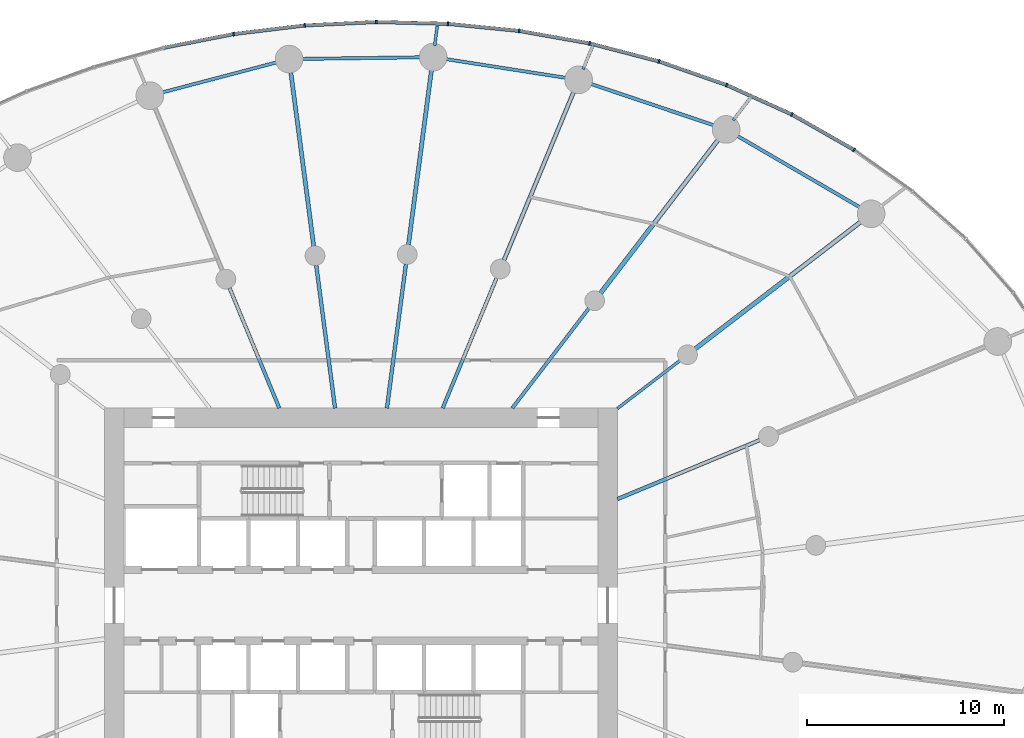
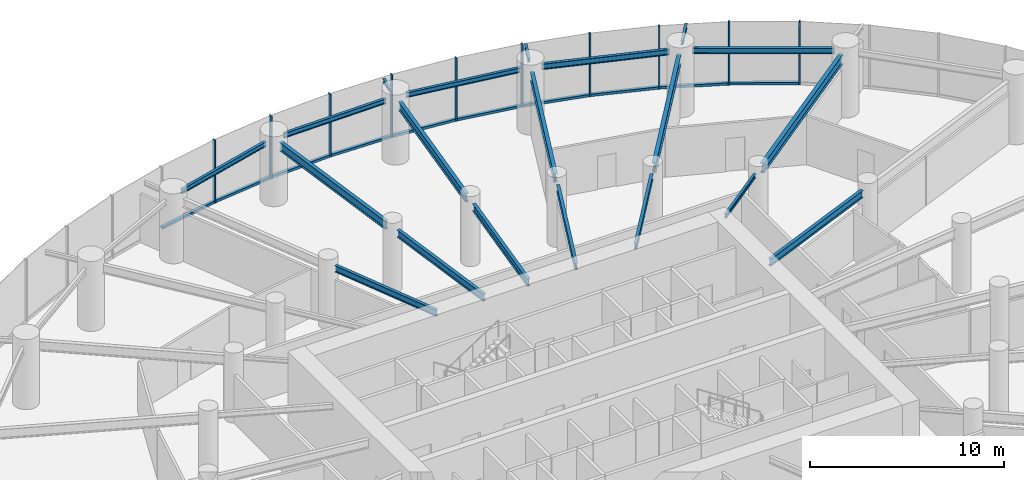
# One storey, part 7 of 19: 20 beams, 20 members, 2 elements without a shape of their own.
"""IFC4 building model written with IfcOpenShell, lengths in metres."""

from ifc_helpers import new_model, si_unit, direction, frame, origin, origin_2d, place, context, subcontext, project, spatial, rectangle, i_section, extrude, source, transform, mapped, material, layer, layer_set, material_profile, profile_set, type_object, element, aggregate, save


model = new_model("IFC4")

# Units and contexts
model_context = context("Model", 3, precision=1e-05, world=origin(), true_north=direction((0.0, 1.0)))
body_context = subcontext(model_context, "Body", "Model", "MODEL_VIEW")
ifc_project = project(units=[si_unit("LENGTHUNIT", "METRE"), si_unit("AREAUNIT", "SQUARE_METRE"), si_unit("VOLUMEUNIT", "CUBIC_METRE"), si_unit("PLANEANGLEUNIT", "RADIAN"), si_unit("MASSUNIT", "GRAM", prefix="KILO")], contexts=[model_context])

# Site, building, storey
site_placement = place(None, origin())
site = spatial("IfcSite", under=ifc_project, at=site_placement, CompositionType="ELEMENT")
building_placement = place(site_placement, origin())
building = spatial("IfcBuilding", under=site, at=building_placement, Name="Spindrift Exchange Tower", CompositionType="ELEMENT")
storey_placement = place(building_placement, frame((0.0, 0.0, 31.39990234375)))
storey = spatial("IfcBuildingStorey", under=building, at=storey_placement, Name="L07", CompositionType="ELEMENT", Elevation=31.39990234375)

# Beams
ifc_material_1 = material(Name="Steel Grade 300", Category="steel")
ifc_material_profile_1 = material_profile(ifc_material_1, i_section(OverallWidth=0.18994140625, OverallDepth=0.45703125, WebThickness=0.009033203125, FlangeThickness=0.014404296875, FilletRadius=0.013916015625, at=origin_2d()), Name="460UB74.6")
ifc_profile_set_1 = profile_set([ifc_material_profile_1], Name="Steel Grade 300")
beam_type_1 = type_object("IfcBeamType", Name="Floor Beam 460UB74.6 Steel Grade 300", PredefinedType="BEAM", material=ifc_profile_set_1)
shared_shape_1 = source(origin(), body_context, "Body", "SweptSolid", [
    extrude(i_section(OverallWidth=0.18994140625, OverallDepth=0.45703125, WebThickness=0.009033203125, FlangeThickness=0.014404296875, FilletRadius=0.013916015625, at=origin_2d()), origin(), (0.0, 0.0, 1.0), 7.808837890625),
])
beam_1_placement = place(storey_placement, frame((64.9814453125, 53.377197265625, 3.7216796875), z_axis=(0.92387965154, 0.382683145003, 0.0), x_axis=(-0.382683145003, 0.92387965154, 0.0)))
element("IfcBeam", 1, at=beam_1_placement, inside=storey, type_object=beam_type_1, Name="L07 radial beam R02A", PredefinedType="BEAM", context=body_context, shape_type="MappedRepresentation", body=[
    mapped(shared_shape_1, transform((0.0, 0.0, 0.0), scale=1.0)),
])
ifc_material_profile_2 = material_profile(ifc_material_1, i_section(OverallWidth=0.14599609375, OverallDepth=0.251953125, WebThickness=0.006103515625, FlangeThickness=0.008544921875, FilletRadius=0.011962890625, at=origin_2d()), Name="250UB31.4")
ifc_profile_set_2 = profile_set([ifc_material_profile_2], Name="Steel Grade 300")
beam_type_2 = type_object("IfcBeamType", Name="Floor Beam 250UB31.4 Steel Grade 300", PredefinedType="BEAM", material=ifc_profile_set_2)
shared_shape_2 = source(origin(), body_context, "Body", "SweptSolid", [
    extrude(i_section(OverallWidth=0.14599609375, OverallDepth=0.251953125, WebThickness=0.006103515625, FlangeThickness=0.008544921875, FilletRadius=0.011962890625, at=origin_2d()), origin(), (0.0, 0.0, 1.0), 3.99560546875),
])
beam_2_placement = place(storey_placement, frame((64.984130859375, 57.963134765625, 3.82421875), z_axis=(0.793352561574, 0.608762443851, 0.0), x_axis=(-0.608762443851, 0.793352561574, 0.0)))
element("IfcBeam", 2, at=beam_2_placement, inside=storey, type_object=beam_type_2, Name="L07 radial beam R03A", PredefinedType="BEAM", context=body_context, shape_type="MappedRepresentation", body=[
    mapped(shared_shape_2, transform((0.0, 0.0, 0.0), scale=1.0)),
])
ifc_material_profile_3 = material_profile(ifc_material_1, i_section(OverallWidth=0.22802734375, OverallDepth=0.60693359375, WebThickness=0.01123046875, FlangeThickness=0.017333984375, FilletRadius=0.013916015625, at=origin_2d()), Name="610UB113")
ifc_profile_set_3 = profile_set([ifc_material_profile_3], Name="Steel Grade 300")
beam_type_3 = type_object("IfcBeamType", Name="Floor Beam 610UB113 Steel Grade 300", PredefinedType="BEAM", material=ifc_profile_set_3)
shared_shape_3 = source(origin(), body_context, "Body", "SweptSolid", [
    extrude(i_section(OverallWidth=0.22802734375, OverallDepth=0.60693359375, WebThickness=0.01123046875, FlangeThickness=0.017333984375, FilletRadius=0.013916015625, at=origin_2d()), origin(), (0.0, 0.0, 1.0), 10.66357421875),
])
beam_3_placement = place(storey_placement, frame((68.91552734375, 60.979736328125, 3.646484375), z_axis=(0.793357926757, 0.608755451764, 0.0), x_axis=(-0.608755451764, 0.793357926757, 0.0)))
element("IfcBeam", 3, at=beam_3_placement, inside=storey, type_object=beam_type_3, Name="L07 radial beam R03B", PredefinedType="BEAM", context=body_context, shape_type="MappedRepresentation", body=[
    mapped(shared_shape_3, transform((0.0, 0.0, 0.0), scale=1.0)),
])
ifc_material_profile_4 = material_profile(ifc_material_1, i_section(OverallWidth=0.172119140625, OverallDepth=0.35888671875, WebThickness=0.008056640625, FlangeThickness=0.012939453125, FilletRadius=0.013916015625, at=origin_2d()), Name="360UB56.7")
ifc_profile_set_4 = profile_set([ifc_material_profile_4], Name="Steel Grade 300")
beam_type_4 = type_object("IfcBeamType", Name="Floor Beam 360UB56.7 Steel Grade 300", PredefinedType="BEAM", material=ifc_profile_set_4)
shared_shape_4 = source(origin(), body_context, "Body", "SweptSolid", [
    extrude(i_section(OverallWidth=0.172119140625, OverallDepth=0.35888671875, WebThickness=0.008056640625, FlangeThickness=0.012939453125, FilletRadius=0.013916015625, at=origin_2d()), origin(), (0.0, 0.0, 1.0), 6.37646484375),
])
beam_4_placement = place(storey_placement, frame((59.6611328125, 57.984130859375, 3.7705078125), z_axis=(0.608766669952, 0.793349318747, 0.0), x_axis=(-0.793349318747, 0.608766669952, 0.0)))
element("IfcBeam", 4, at=beam_4_placement, inside=storey, type_object=beam_type_4, Name="L07 radial beam R04A", PredefinedType="BEAM", context=body_context, shape_type="MappedRepresentation", body=[
    mapped(shared_shape_4, transform((0.0, 0.0, 0.0), scale=1.0)),
])
shared_shape_5 = source(origin(), body_context, "Body", "SweptSolid", [
    extrude(i_section(OverallWidth=0.22802734375, OverallDepth=0.60693359375, WebThickness=0.01123046875, FlangeThickness=0.017333984375, FilletRadius=0.013916015625, at=origin_2d()), origin(), (0.0, 0.0, 1.0), 9.87548828125),
])
beam_5_placement = place(storey_placement, frame((64.127197265625, 63.8046875, 3.646484375), z_axis=(0.608772470836, 0.793344867477, 0.0), x_axis=(-0.793344867477, 0.608772470836, 0.0)))
element("IfcBeam", 5, at=beam_5_placement, inside=storey, type_object=beam_type_3, Name="L07 radial beam R04B", PredefinedType="BEAM", context=body_context, shape_type="MappedRepresentation", body=[
    mapped(shared_shape_5, transform((0.0, 0.0, 0.0), scale=1.0)),
])
ifc_material_profile_5 = material_profile(ifc_material_1, i_section(OverallWidth=0.177978515625, OverallDepth=0.406005859375, WebThickness=0.0078125, FlangeThickness=0.0126953125, FilletRadius=0.013916015625, at=origin_2d()), Name="410UB59.7")
ifc_profile_set_5 = profile_set([ifc_material_profile_5], Name="Steel Grade 300")
beam_type_5 = type_object("IfcBeamType", Name="Floor Beam 410UB59.7 Steel Grade 300", PredefinedType="BEAM", material=ifc_profile_set_5)
shared_shape_6 = source(origin(), body_context, "Body", "SweptSolid", [
    extrude(i_section(OverallWidth=0.177978515625, OverallDepth=0.406005859375, WebThickness=0.0078125, FlangeThickness=0.0126953125, FilletRadius=0.013916015625, at=origin_2d()), origin(), (0.0, 0.0, 1.0), 7.150634765625),
])
beam_6_placement = place(storey_placement, frame((56.134521484375, 57.9814453125, 3.7470703125), z_axis=(0.382665393358, 0.923887004306, 0.0), x_axis=(-0.923887004306, 0.382665393358, 0.0)))
element("IfcBeam", 6, at=beam_6_placement, inside=storey, type_object=beam_type_5, Name="L07 radial beam R05A", PredefinedType="BEAM", context=body_context, shape_type="MappedRepresentation", body=[
    mapped(shared_shape_6, transform((0.0, 0.0, 0.0), scale=1.0)),
])
ifc_material_profile_6 = material_profile(ifc_material_1, i_section(OverallWidth=0.208984375, OverallDepth=0.532958984375, WebThickness=0.01025390625, FlangeThickness=0.015625, FilletRadius=0.013916015625, at=origin_2d()), Name="530UB92.4")
ifc_profile_set_6 = profile_set([ifc_material_profile_6], Name="Steel Grade 300")
beam_type_6 = type_object("IfcBeamType", Name="Floor Beam 530UB92.4 Steel Grade 300", PredefinedType="BEAM", material=ifc_profile_set_6)
shared_shape_7 = source(origin(), body_context, "Body", "SweptSolid", [
    extrude(i_section(OverallWidth=0.208984375, OverallDepth=0.532958984375, WebThickness=0.01025390625, FlangeThickness=0.015625, FilletRadius=0.013916015625, at=origin_2d()), origin(), (0.0, 0.0, 1.0), 9.309326171875),
])
beam_7_placement = place(storey_placement, frame((59.23828125, 65.474853515625, 3.68359375), z_axis=(0.382685326691, 0.923878747853, 0.0), x_axis=(-0.923878747853, 0.382685326691, 0.0)))
element("IfcBeam", 7, at=beam_7_placement, inside=storey, type_object=beam_type_6, Name="L07 radial beam R05B", PredefinedType="BEAM", context=body_context, shape_type="MappedRepresentation", body=[
    mapped(shared_shape_7, transform((0.0, 0.0, 0.0), scale=1.0)),
])
shared_shape_8 = source(origin(), body_context, "Body", "SweptSolid", [
    extrude(i_section(OverallWidth=0.18994140625, OverallDepth=0.45703125, WebThickness=0.009033203125, FlangeThickness=0.014404296875, FilletRadius=0.013916015625, at=origin_2d()), origin(), (0.0, 0.0, 1.0), 7.374267578125),
])
beam_8_placement = place(storey_placement, frame((53.31396484375, 57.980224609375, 3.7216796875), z_axis=(0.130539295622, 0.99144313619, 0.0), x_axis=(-0.99144313619, 0.130539295622, 0.0)))
element("IfcBeam", 8, at=beam_8_placement, inside=storey, type_object=beam_type_1, Name="L07 radial beam R06A", PredefinedType="BEAM", context=body_context, shape_type="MappedRepresentation", body=[
    mapped(shared_shape_8, transform((0.0, 0.0, 0.0), scale=1.0)),
])
shared_shape_9 = source(origin(), body_context, "Body", "SweptSolid", [
    extrude(i_section(OverallWidth=0.208984375, OverallDepth=0.532958984375, WebThickness=0.01025390625, FlangeThickness=0.015625, FilletRadius=0.013916015625, at=origin_2d()), origin(), (0.0, 0.0, 1.0), 9.020263671875),
])
beam_9_placement = place(storey_placement, frame((54.40185546875, 66.2431640625, 3.68359375), z_axis=(0.13051122338, 0.991446831944, 0.0), x_axis=(-0.991446831944, 0.13051122338, 0.0)))
element("IfcBeam", 9, at=beam_9_placement, inside=storey, type_object=beam_type_6, Name="L07 radial beam R06B", PredefinedType="BEAM", context=body_context, shape_type="MappedRepresentation", body=[
    mapped(shared_shape_9, transform((0.0, 0.0, 0.0), scale=1.0)),
])
shared_shape_10 = source(origin(), body_context, "Body", "SweptSolid", [
    extrude(i_section(OverallWidth=0.18994140625, OverallDepth=0.45703125, WebThickness=0.009033203125, FlangeThickness=0.014404296875, FilletRadius=0.013916015625, at=origin_2d()), origin(), (0.0, 0.0, 1.0), 7.3095703125),
])
beam_10_placement = place(storey_placement, frame((50.68603515625, 57.980224609375, 3.7216796875), z_axis=(-0.130527087244, 0.991444743541, 0.0), x_axis=(-0.991444743541, -0.130527087244, 0.0)))
element("IfcBeam", 10, at=beam_10_placement, inside=storey, type_object=beam_type_1, Name="L07 radial beam R07A", PredefinedType="BEAM", context=body_context, shape_type="MappedRepresentation", body=[
    mapped(shared_shape_10, transform((0.0, 0.0, 0.0), scale=1.0)),
])
shared_shape_11 = source(origin(), body_context, "Body", "SweptSolid", [
    extrude(i_section(OverallWidth=0.208984375, OverallDepth=0.532958984375, WebThickness=0.01025390625, FlangeThickness=0.015625, FilletRadius=0.013916015625, at=origin_2d()), origin(), (0.0, 0.0, 1.0), 8.98388671875),
])
beam_11_placement = place(storey_placement, frame((49.606689453125, 66.17919921875, 3.68359375), z_axis=(-0.130524106785, 0.991445135924, 0.0), x_axis=(-0.991445135924, -0.130524106785, 0.0)))
element("IfcBeam", 11, at=beam_11_placement, inside=storey, type_object=beam_type_6, Name="L07 radial beam R07B", PredefinedType="BEAM", context=body_context, shape_type="MappedRepresentation", body=[
    mapped(shared_shape_11, transform((0.0, 0.0, 0.0), scale=1.0)),
])
shared_shape_12 = source(origin(), body_context, "Body", "SweptSolid", [
    extrude(i_section(OverallWidth=0.177978515625, OverallDepth=0.406005859375, WebThickness=0.0078125, FlangeThickness=0.0126953125, FilletRadius=0.013916015625, at=origin_2d()), origin(), (0.0, 0.0, 1.0), 6.594482421875),
])
beam_12_placement = place(storey_placement, frame((47.865478515625, 57.9814453125, 3.7470703125), z_axis=(-0.382692929746, 0.92387559851, 0.0), x_axis=(-0.92387559851, -0.382692929746, 0.0)))
element("IfcBeam", 12, at=beam_12_placement, inside=storey, type_object=beam_type_5, Name="L07 radial beam R08A", PredefinedType="BEAM", context=body_context, shape_type="MappedRepresentation", body=[
    mapped(shared_shape_12, transform((0.0, 0.0, 0.0), scale=1.0)),
])
ifc_material_profile_7 = material_profile(ifc_material_1, i_section(OverallWidth=0.172119140625, OverallDepth=0.35888671875, WebThickness=0.008056640625, FlangeThickness=0.012939453125, FilletRadius=0.013916015625, at=origin_2d()), Name="360UB56.7")
ifc_profile_set_7 = profile_set([ifc_material_profile_7], Name="Steel Grade 300")
beam_type_7 = type_object("IfcBeamType", Name="Edge Beam 360UB56.7 Steel Grade 300", PredefinedType="SPANDREL", material=ifc_profile_set_7)
shared_shape_13 = source(origin(), body_context, "Body", "SweptSolid", [
    extrude(i_section(OverallWidth=0.172119140625, OverallDepth=0.35888671875, WebThickness=0.008056640625, FlangeThickness=0.012939453125, FilletRadius=0.013916015625, at=origin_2d()), origin(), (0.0, 0.0, 1.0), 7.33740234375),
])
beam_13_placement = place(storey_placement, frame((77.33447265625, 68.1162109375, 3.7705078125), z_axis=(-0.864211826308, 0.503128134047, 0.0), x_axis=(-0.503128134047, -0.864211826308, 0.0)))
element("IfcBeam", 13, at=beam_13_placement, inside=storey, type_object=beam_type_7, Name="L07 edge beam E03", PredefinedType="SPANDREL", context=body_context, shape_type="MappedRepresentation", body=[
    mapped(shared_shape_13, transform((0.0, 0.0, 0.0), scale=1.0)),
])
shared_shape_14 = source(origin(), body_context, "Body", "SweptSolid", [
    extrude(i_section(OverallWidth=0.172119140625, OverallDepth=0.35888671875, WebThickness=0.008056640625, FlangeThickness=0.012939453125, FilletRadius=0.013916015625, at=origin_2d()), origin(), (0.0, 0.0, 1.0), 6.72021484375),
])
beam_14_placement = place(storey_placement, frame((69.9423828125, 72.28466796875, 3.7705078125), z_axis=(-0.947851749681, 0.318711563372, 0.0), x_axis=(-0.318711563372, -0.947851749681, 0.0)))
element("IfcBeam", 14, at=beam_14_placement, inside=storey, type_object=beam_type_7, Name="L07 edge beam E04", PredefinedType="SPANDREL", context=body_context, shape_type="MappedRepresentation", body=[
    mapped(shared_shape_14, transform((0.0, 0.0, 0.0), scale=1.0)),
])
ifc_material_profile_8 = material_profile(ifc_material_1, i_section(OverallWidth=0.1650390625, OverallDepth=0.303955078125, WebThickness=0.006103515625, FlangeThickness=0.01025390625, FilletRadius=0.011474609375, at=origin_2d()), Name="310UB40.4")
ifc_profile_set_8 = profile_set([ifc_material_profile_8], Name="Steel Grade 300")
beam_type_8 = type_object("IfcBeamType", Name="Edge Beam 310UB40.4 Steel Grade 300", PredefinedType="SPANDREL", material=ifc_profile_set_8)
shared_shape_15 = source(origin(), body_context, "Body", "SweptSolid", [
    extrude(i_section(OverallWidth=0.1650390625, OverallDepth=0.303955078125, WebThickness=0.006103515625, FlangeThickness=0.01025390625, FilletRadius=0.011474609375, at=origin_2d()), origin(), (0.0, 0.0, 1.0), 6.297119140625),
])
beam_15_placement = place(storey_placement, frame((62.44970703125, 74.70068359375, 3.798095703125), z_axis=(-0.98802902915, 0.154268070436, 0.0), x_axis=(-0.154268070436, -0.98802902915, 0.0)))
element("IfcBeam", 15, at=beam_15_placement, inside=storey, type_object=beam_type_8, Name="L07 edge beam E05", PredefinedType="SPANDREL", context=body_context, shape_type="MappedRepresentation", body=[
    mapped(shared_shape_15, transform((0.0, 0.0, 0.0), scale=1.0)),
])
shared_shape_16 = source(origin(), body_context, "Body", "SweptSolid", [
    extrude(i_section(OverallWidth=0.1650390625, OverallDepth=0.303955078125, WebThickness=0.006103515625, FlangeThickness=0.01025390625, FilletRadius=0.011474609375, at=origin_2d()), origin(), (0.0, 0.0, 1.0), 6.13720703125),
])
beam_16_placement = place(storey_placement, frame((55.074951171875, 75.75341796875, 3.798095703125), z_axis=(-0.999905820907, -0.013724041543, 0.0), x_axis=(0.013724041543, -0.999905820907, 0.0)))
element("IfcBeam", 16, at=beam_16_placement, inside=storey, type_object=beam_type_8, Name="L07 edge beam E06", PredefinedType="SPANDREL", context=body_context, shape_type="MappedRepresentation", body=[
    mapped(shared_shape_16, transform((0.0, 0.0, 0.0), scale=1.0)),
])
shared_shape_17 = source(origin(), body_context, "Body", "SweptSolid", [
    extrude(i_section(OverallWidth=0.1650390625, OverallDepth=0.303955078125, WebThickness=0.006103515625, FlangeThickness=0.01025390625, FilletRadius=0.011474609375, at=origin_2d()), origin(), (0.0, 0.0, 1.0), 6.128173828125),
])
beam_17_placement = place(storey_placement, frame((47.79736328125, 75.513916015625, 3.798095703125), z_axis=(-0.967147261855, -0.254216785216, 0.0), x_axis=(0.254216785216, -0.967147261855, 0.0)))
element("IfcBeam", 17, at=beam_17_placement, inside=storey, type_object=beam_type_8, Name="L07 edge beam E07", PredefinedType="SPANDREL", context=body_context, shape_type="MappedRepresentation", body=[
    mapped(shared_shape_17, transform((0.0, 0.0, 0.0), scale=1.0)),
])
ifc_material_profile_9 = material_profile(ifc_material_1, i_section(OverallWidth=0.14599609375, OverallDepth=0.251953125, WebThickness=0.006103515625, FlangeThickness=0.008544921875, FilletRadius=0.011962890625, at=origin_2d()), Name="250UB31.4")
ifc_profile_set_9 = profile_set([ifc_material_profile_9], Name="Steel Grade 300")
beam_type_9 = type_object("IfcBeamType", Name="Cantilever Beam 250UB31.4 Steel Grade 300", PredefinedType="BEAM", material=ifc_profile_set_9)
shared_shape_18 = source(origin(), body_context, "Body", "SweptSolid", [
    extrude(i_section(OverallWidth=0.14599609375, OverallDepth=0.251953125, WebThickness=0.006103515625, FlangeThickness=0.008544921875, FilletRadius=0.011962890625, at=origin_2d()), origin(), (0.0, 0.0, 1.0), 1.61181640625),
])
beam_18_placement = place(storey_placement, frame((70.845458984375, 72.559814453125, 3.82421875), z_axis=(0.608736759969, 0.793372268902, 0.0), x_axis=(-0.793372268902, 0.608736759969, 0.0)))
element("IfcBeam", 18, at=beam_18_placement, inside=storey, type_object=beam_type_9, Name="L07 cantilever beam R04T", PredefinedType="BEAM", context=body_context, shape_type="MappedRepresentation", body=[
    mapped(shared_shape_18, transform((0.0, 0.0, 0.0), scale=1.0)),
])
shared_shape_19 = source(origin(), body_context, "Body", "SweptSolid", [
    extrude(i_section(OverallWidth=0.14599609375, OverallDepth=0.251953125, WebThickness=0.006103515625, FlangeThickness=0.008544921875, FilletRadius=0.011962890625, at=origin_2d()), origin(), (0.0, 0.0, 1.0), 1.326416015625),
])
beam_19_placement = place(storey_placement, frame((63.244873046875, 75.147216796875, 3.82421875), z_axis=(0.382628122364, 0.923902440724, 0.0), x_axis=(-0.923902440724, 0.382628122364, 0.0)))
element("IfcBeam", 19, at=beam_19_placement, inside=storey, type_object=beam_type_9, Name="L07 cantilever beam R05T", PredefinedType="BEAM", context=body_context, shape_type="MappedRepresentation", body=[
    mapped(shared_shape_19, transform((0.0, 0.0, 0.0), scale=1.0)),
])
shared_shape_20 = source(origin(), body_context, "Body", "SweptSolid", [
    extrude(i_section(OverallWidth=0.14599609375, OverallDepth=0.251953125, WebThickness=0.006103515625, FlangeThickness=0.008544921875, FilletRadius=0.011962890625, at=origin_2d()), origin(), (0.0, 0.0, 1.0), 1.005615234375),
])
beam_20_placement = place(storey_placement, frame((55.730712890625, 76.33642578125, 3.82421875), z_axis=(0.130366593235, 0.991465859911, 0.0), x_axis=(-0.991465859911, 0.130366593235, 0.0)))
element("IfcBeam", 20, at=beam_20_placement, inside=storey, type_object=beam_type_9, Name="L07 cantilever beam R06T", PredefinedType="BEAM", context=body_context, shape_type="MappedRepresentation", body=[
    mapped(shared_shape_20, transform((0.0, 0.0, 0.0), scale=1.0)),
])

# Curtain wall, members
ifc_material_2 = material(Name="Fritted laminated glass with bronze frame", Category="glass")
ifc_layer = layer(ifc_material_2, 0.199951171875)
ifc_layer_set = layer_set([ifc_layer], Name="ZONE 1 BRONZE FRITTED WALL")
curtain_wall_type = type_object("IfcCurtainWallType", Name="ZONE 1 BRONZE FRITTED WALL", PredefinedType="NOTDEFINED", material=ifc_layer_set)
curtain_wall_1_placement = place(storey_placement, origin())
curtain_wall_1 = element("IfcCurtainWall", 21, at=curtain_wall_1_placement, inside=storey, type_object=curtain_wall_type, Name="L07 Zone 1 Bronze Fritted Wall run 2", PredefinedType="NOTDEFINED")
ifc_material_3 = material(Name="Bronze anodised aluminium", Category="aluminium")
ifc_material_profile_10 = material_profile(ifc_material_3, rectangle(XDim=0.179931640625, YDim=0.14990234375, at=origin_2d()), Name="ZONE 1 BRONZE FRITTED WALL TRANSOM 180X150")
ifc_profile_set_10 = profile_set([ifc_material_profile_10], Name="Bronze anodised aluminium")
member_type_1 = type_object("IfcMemberType", Name="ZONE 1 BRONZE FRITTED WALL TRANSOM 180X150", PredefinedType="USERDEFINED", material=ifc_profile_set_10)
shared_shape_21 = source(origin(), body_context, "Body", "SweptSolid", [
    extrude(rectangle(XDim=0.179931640625, YDim=0.14990234375, at=origin_2d()), origin(), (0.0, 0.0, 1.0), 3.546875),
])
member_1_placement = place(storey_placement, frame((76.9384765625, 71.08544921875, 0.0751953125), z_axis=(-0.869295918305, 0.494292025445, 0.0), x_axis=(-0.494292025445, -0.869295918305, 0.0)))
member_1 = element("IfcMember", 22, at=member_1_placement, type_object=member_type_1, Name="L07 transom CW-1.8", ObjectType="TRANSOM", PredefinedType="USERDEFINED", context=body_context, shape_type="MappedRepresentation", body=[
    mapped(shared_shape_21, transform((0.0, 0.0, 0.0), scale=1.0)),
])
member_2_placement = place(storey_placement, frame((73.783935546875, 72.874755859375, 0.0751953125), z_axis=(-0.911606987466, 0.411062891056, 0.0), x_axis=(-0.411062891056, -0.911606987466, 0.0)))
member_2 = element("IfcMember", 23, at=member_2_placement, type_object=member_type_1, Name="L07 transom CW-1.9", ObjectType="TRANSOM", PredefinedType="USERDEFINED", context=body_context, shape_type="MappedRepresentation", body=[
    mapped(shared_shape_21, transform((0.0, 0.0, 0.0), scale=1.0)),
])
member_3_placement = place(storey_placement, frame((70.476318359375, 74.362548828125, 0.0751953125), z_axis=(-0.943963472957, 0.330049938226, 0.0), x_axis=(-0.330049938226, -0.943963472957, 0.0)))
member_3 = element("IfcMember", 24, at=member_3_placement, type_object=member_type_1, Name="L07 transom CW-1.10", ObjectType="TRANSOM", PredefinedType="USERDEFINED", context=body_context, shape_type="MappedRepresentation", body=[
    mapped(shared_shape_21, transform((0.0, 0.0, 0.0), scale=1.0)),
])
shared_shape_22 = source(origin(), body_context, "Body", "SweptSolid", [
    extrude(rectangle(XDim=0.179931640625, YDim=0.14990234375, at=origin_2d()), origin(), (0.0, 0.0, 1.0), 3.54736328125),
])
member_4_placement = place(storey_placement, frame((67.051513671875, 75.556396484375, 0.0751953125), z_axis=(-0.967933705581, 0.25120577541, 0.0), x_axis=(-0.25120577541, -0.967933705581, 0.0)))
member_4 = element("IfcMember", 25, at=member_4_placement, type_object=member_type_1, Name="L07 transom CW-1.11", ObjectType="TRANSOM", PredefinedType="USERDEFINED", context=body_context, shape_type="MappedRepresentation", body=[
    mapped(shared_shape_22, transform((0.0, 0.0, 0.0), scale=1.0)),
])

curtain_wall_2_placement = place(storey_placement, origin())
curtain_wall_2 = element("IfcCurtainWall", 26, at=curtain_wall_2_placement, inside=storey, type_object=curtain_wall_type, Name="L07 Zone 1 Bronze Fritted Wall run 3", PredefinedType="NOTDEFINED")
member_5_placement = place(storey_placement, frame((59.9677734375, 77.093994140625, 0.0751953125), z_axis=(-0.995076635173, 0.099108476598, 0.0), x_axis=(-0.099108476598, -0.995076635173, 0.0)))
member_5 = element("IfcMember", 27, at=member_5_placement, type_object=member_type_1, Name="L07 transom CW-1.13", ObjectType="TRANSOM", PredefinedType="USERDEFINED", context=body_context, shape_type="MappedRepresentation", body=[
    mapped(shared_shape_22, transform((0.0, 0.0, 0.0), scale=1.0)),
])
member_6_placement = place(storey_placement, frame((45.50830078125, 76.923095703125, 0.0751953125), z_axis=(-0.981203002701, -0.192978411978, 0.0), x_axis=(0.192978411978, -0.981203002701, 0.0)))
member_6 = element("IfcMember", 28, at=member_6_placement, type_object=member_type_1, Name="L07 transom CW-1.17", ObjectType="TRANSOM", PredefinedType="USERDEFINED", context=body_context, shape_type="MappedRepresentation", body=[
    mapped(shared_shape_22, transform((0.0, 0.0, 0.0), scale=1.0)),
])

# Member
shared_shape_23 = source(origin(), body_context, "Body", "SweptSolid", [
    extrude(rectangle(XDim=0.179931640625, YDim=0.14990234375, at=origin_2d()), origin(), (0.0, 0.0, 1.0), 3.547119140625),
])
member_7_placement = place(storey_placement, frame((63.539794921875, 76.464599609375, 0.0751953125), z_axis=(-0.984686403029, 0.174334986991, 0.0), x_axis=(-0.174334986991, -0.984686403029, 0.0)))
member_7 = element("IfcMember", 29, at=member_7_placement, type_object=member_type_1, Name="L07 transom CW-1.12", ObjectType="TRANSOM", PredefinedType="USERDEFINED", context=body_context, shape_type="MappedRepresentation", body=[
    mapped(shared_shape_23, transform((0.0, 0.0, 0.0), scale=1.0)),
])

shared_shape_24 = source(origin(), body_context, "Body", "SweptSolid", [
    extrude(rectangle(XDim=0.179931640625, YDim=0.14990234375, at=origin_2d()), origin(), (0.0, 0.0, 1.0), 3.547607421875),
])
member_8_placement = place(storey_placement, frame((56.358154296875, 77.45068359375, 0.0751953125), z_axis=(-0.999682726812, 0.025188205839, 0.0), x_axis=(-0.025188205839, -0.999682726812, 0.0)))
member_8 = element("IfcMember", 30, at=member_8_placement, type_object=member_type_1, Name="L07 transom CW-1.14", ObjectType="TRANSOM", PredefinedType="USERDEFINED", context=body_context, shape_type="MappedRepresentation", body=[
    mapped(shared_shape_24, transform((0.0, 0.0, 0.0), scale=1.0)),
])

member_9_placement = place(storey_placement, frame((52.73193359375, 77.539306640625, 0.0751953125), z_axis=(-0.998855490777, -0.047829996286, 0.0), x_axis=(0.047829996286, -0.998855490777, 0.0)))
member_9 = element("IfcMember", 31, at=member_9_placement, type_object=member_type_1, Name="L07 transom CW-1.15", ObjectType="TRANSOM", PredefinedType="USERDEFINED", context=body_context, shape_type="MappedRepresentation", body=[
    mapped(shared_shape_24, transform((0.0, 0.0, 0.0), scale=1.0)),
])

member_10_placement = place(storey_placement, frame((49.10888671875, 77.36279296875, 0.0751953125), z_axis=(-0.992721320697, -0.120434129027, 0.0), x_axis=(0.120434129027, -0.992721320697, 0.0)))
member_10 = element("IfcMember", 32, at=member_10_placement, type_object=member_type_1, Name="L07 transom CW-1.16", ObjectType="TRANSOM", PredefinedType="USERDEFINED", context=body_context, shape_type="MappedRepresentation", body=[
    mapped(shared_shape_24, transform((0.0, 0.0, 0.0), scale=1.0)),
])

ifc_material_profile_11 = material_profile(ifc_material_3, rectangle(XDim=0.080078125, YDim=0.199951171875, at=origin_2d()), Name="ZONE 1 BRONZE FRITTED WALL MULLION 80X200")
ifc_profile_set_11 = profile_set([ifc_material_profile_11], Name="Bronze anodised aluminium")
member_type_2 = type_object("IfcMemberType", Name="ZONE 1 BRONZE FRITTED WALL MULLION 80X200", PredefinedType="MULLION", material=ifc_profile_set_11)
shared_shape_25 = source(origin(), body_context, "Body", "SweptSolid", [
    extrude(rectangle(XDim=0.080078125, YDim=0.199951171875, at=origin_2d()), origin(), (0.0, 0.0, 1.0), 3.9501953125),
])
member_11_placement = place(storey_placement, frame((76.973388671875, 71.065673828125, 0.0), z_axis=(0.0, 0.0, 1.0), x_axis=(-0.843343794165, 0.537374399133, 0.0)))
member_11 = element("IfcMember", 33, at=member_11_placement, type_object=member_type_2, Name="L07 mullion CW-1.8", PredefinedType="MULLION", context=body_context, shape_type="MappedRepresentation", body=[
    mapped(shared_shape_25, transform((0.0, 0.0, 0.0), scale=1.0)),
])

member_12_placement = place(storey_placement, frame((73.820556640625, 72.8583984375, 0.0), z_axis=(0.0, 0.0, 1.0), x_axis=(-0.891425606833, 0.453167063545, 0.0)))
member_12 = element("IfcMember", 34, at=member_12_placement, type_object=member_type_2, Name="L07 mullion CW-1.9", PredefinedType="MULLION", context=body_context, shape_type="MappedRepresentation", body=[
    mapped(shared_shape_25, transform((0.0, 0.0, 0.0), scale=1.0)),
])

member_13_placement = place(storey_placement, frame((70.51416015625, 74.349365234375, 0.0), z_axis=(0.0, 0.0, 1.0), x_axis=(-0.928665913962, 0.370917268735, 0.0)))
member_13 = element("IfcMember", 35, at=member_13_placement, type_object=member_type_2, Name="L07 mullion CW-1.10", PredefinedType="MULLION", context=body_context, shape_type="MappedRepresentation", body=[
    mapped(shared_shape_25, transform((0.0, 0.0, 0.0), scale=1.0)),
])

member_14_placement = place(storey_placement, frame((67.09033203125, 75.54638671875, 0.0), z_axis=(0.0, 0.0, 1.0), x_axis=(-0.956761446187, 0.290873744243, 0.0)))
member_14 = element("IfcMember", 36, at=member_14_placement, type_object=member_type_2, Name="L07 mullion CW-1.11", PredefinedType="MULLION", context=body_context, shape_type="MappedRepresentation", body=[
    mapped(shared_shape_25, transform((0.0, 0.0, 0.0), scale=1.0)),
])

member_15_placement = place(storey_placement, frame((63.579345703125, 76.45751953125, 0.0), z_axis=(0.0, 0.0, 1.0), x_axis=(-0.977065117014, 0.212940736157, 0.0)))
member_15 = element("IfcMember", 37, at=member_15_placement, type_object=member_type_2, Name="L07 mullion CW-1.12", PredefinedType="MULLION", context=body_context, shape_type="MappedRepresentation", body=[
    mapped(shared_shape_25, transform((0.0, 0.0, 0.0), scale=1.0)),
])

aggregate(curtain_wall_1, [member_11, member_1, member_12, member_2, member_13, member_3, member_14, member_4, member_15, member_7])

member_16_placement = place(storey_placement, frame((60.007568359375, 77.090087890625, 0.0), z_axis=(0.0, 0.0, 1.0), x_axis=(-0.990593212701, 0.136839639544, 0.0)))
member_16 = element("IfcMember", 38, at=member_16_placement, type_object=member_type_2, Name="L07 mullion CW-1.13", PredefinedType="MULLION", context=body_context, shape_type="MappedRepresentation", body=[
    mapped(shared_shape_25, transform((0.0, 0.0, 0.0), scale=1.0)),
])

member_17_placement = place(storey_placement, frame((56.398193359375, 77.44970703125, 0.0), z_axis=(0.0, 0.0, 1.0), x_axis=(-0.998062307105, 0.062222432743, 0.0)))
member_17 = element("IfcMember", 39, at=member_17_placement, type_object=member_type_2, Name="L07 mullion CW-1.14", PredefinedType="MULLION", context=body_context, shape_type="MappedRepresentation", body=[
    mapped(shared_shape_25, transform((0.0, 0.0, 0.0), scale=1.0)),
])

member_18_placement = place(storey_placement, frame((52.771728515625, 77.541015625, 0.0), z_axis=(0.0, 0.0, 1.0), x_axis=(-0.999936029524, -0.011310917699, 0.0)))
member_18 = element("IfcMember", 40, at=member_18_placement, type_object=member_type_2, Name="L07 mullion CW-1.15", PredefinedType="MULLION", context=body_context, shape_type="MappedRepresentation", body=[
    mapped(shared_shape_25, transform((0.0, 0.0, 0.0), scale=1.0)),
])

member_19_placement = place(storey_placement, frame((49.148681640625, 77.36767578125, 0.0), z_axis=(0.0, 0.0, 1.0), x_axis=(-0.99645071538, -0.08417821463, 0.0)))
member_19 = element("IfcMember", 41, at=member_19_placement, type_object=member_type_2, Name="L07 mullion CW-1.16", PredefinedType="MULLION", context=body_context, shape_type="MappedRepresentation", body=[
    mapped(shared_shape_25, transform((0.0, 0.0, 0.0), scale=1.0)),
])

member_20_placement = place(storey_placement, frame((45.547607421875, 76.930908203125, 0.0), z_axis=(0.0, 0.0, 1.0), x_axis=(-0.987630218812, -0.156800991354, 0.0)))
member_20 = element("IfcMember", 42, at=member_20_placement, type_object=member_type_2, Name="L07 mullion CW-1.17", PredefinedType="MULLION", context=body_context, shape_type="MappedRepresentation", body=[
    mapped(shared_shape_25, transform((0.0, 0.0, 0.0), scale=1.0)),
])

aggregate(curtain_wall_2, [member_16, member_5, member_17, member_8, member_18, member_9, member_19, member_10, member_20, member_6])

save(model, "model.ifc")
